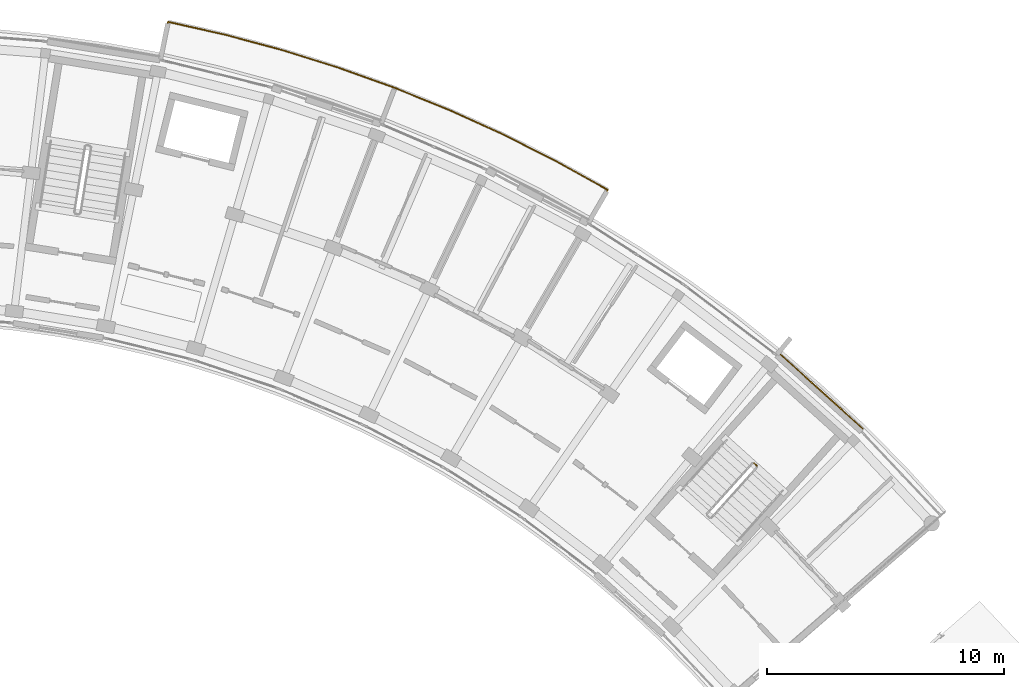
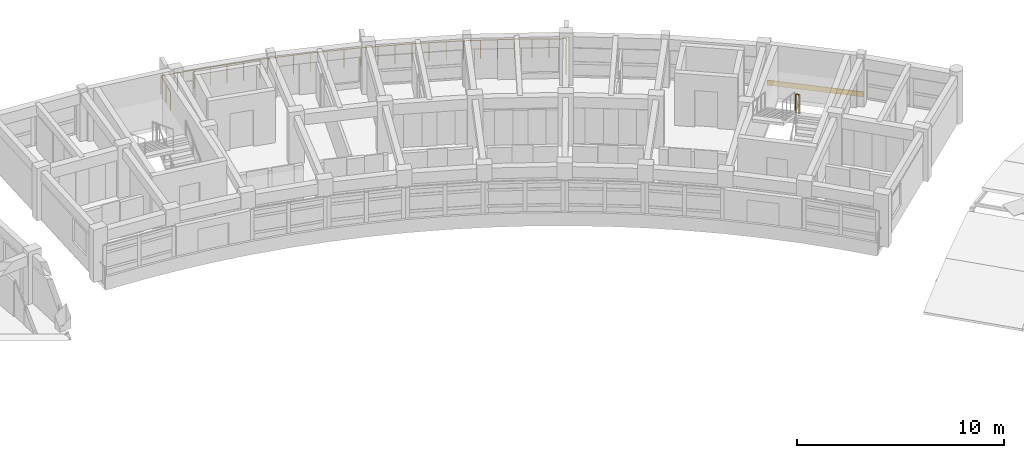
# One storey, part 40 of 40: 2 railings, 1 covering.
"""IFC4 building model written with IfcOpenShell, lengths in metres."""

from ifc_helpers import new_model, si_unit, direction, frame, origin, origin_2d, place, context, subcontext, project, spatial, rectangle, circle, extrude, material, layer, layer_set, type_object, element, save


model = new_model("IFC4")

# Units and contexts
model_context = context("Model", 3, precision=1e-05, world=origin(), true_north=direction((0.0, 1.0)))
body_context = subcontext(model_context, "Body", "Model", "MODEL_VIEW")
ifc_project = project(units=[si_unit("LENGTHUNIT", "METRE"), si_unit("AREAUNIT", "SQUARE_METRE"), si_unit("VOLUMEUNIT", "CUBIC_METRE"), si_unit("PLANEANGLEUNIT", "RADIAN"), si_unit("MASSUNIT", "GRAM", prefix="KILO")], contexts=[model_context])

# Site, building, storey
site_placement = place(None, origin())
site = spatial("IfcSite", under=ifc_project, at=site_placement, CompositionType="ELEMENT")
building_placement = place(site_placement, origin())
building = spatial("IfcBuilding", under=site, at=building_placement, Name="Zimvara Arc Housing Community", CompositionType="ELEMENT")
storey_placement = place(building_placement, frame((0.0, 0.0, 32.89990234375)))
storey = spatial("IfcBuildingStorey", under=building, at=storey_placement, Name="L10", CompositionType="ELEMENT", Elevation=32.89990234375)

# Covering
ifc_material_1 = material(Name="Pale-Gold Anodised Aluminium Cladding", Category="aluminium")
ifc_layer = layer(ifc_material_1, 0.0400390625)
ifc_layer_set = layer_set([ifc_layer], Name="Pale-Gold Anodised Aluminium Cladding")
covering_type = type_object("IfcCoveringType", Name="CLD-GOLD-01", PredefinedType="CLADDING", material=ifc_layer_set)
covering_placement = place(storey_placement, frame((84.7734375, 88.703857421875, 0.01025390625), z_axis=(0.0, 0.0, 1.0), x_axis=(0.74337718344, -0.668872456557, 0.0)))
element("IfcCovering", 1, at=covering_placement, inside=storey, type_object=covering_type, Name="cld:blkB:L10:out:b8", PredefinedType="CLADDING", context=body_context, shape_type="SweptSolid", body=[
    extrude(rectangle(XDim=4.748779296875, YDim=0.0400390625, at=origin_2d()), origin(), (0.0, 0.0, 1.0), 0.300048828125),
])

# Railings
ifc_material_2 = material(Name="Anodised Aluminium AW-6063", Category="aluminium")
railing_type = type_object("IfcRailingType", Name="RLG-BAL-1120", PredefinedType="BALUSTRADE", material=ifc_material_2)
railing_1_placement = place(storey_placement, frame((56.933349609375, 102.842041015625, 0.0)))
element("IfcRailing", 2, at=railing_1_placement, inside=storey, type_object=railing_type, Name="rlg:blkB:L10:bal_out_guard", PredefinedType="BALUSTRADE", context=body_context, shape_type="SweptSolid", body=[
    extrude(circle(Radius=0.02392578125, at=origin_2d()), frame((0.0, 0.0, 1.09619140625), z_axis=(0.200457825929, 0.979702332356, 0.0), x_axis=(-0.979702332356, 0.200457825929, 0.0)), (0.0, 0.0, 1.0), 1.469970703125),
    extrude(circle(Radius=0.02392578125, at=origin_2d()), frame((0.294677734375, 1.440185546875, 1.09619140625), z_axis=(0.975422665062, -0.220342062447, 0.0), x_axis=(0.220342062447, 0.975422665062, 0.0)), (0.0, 0.0, 1.0), 2.491943359375),
    extrude(circle(Radius=0.02392578125, at=origin_2d()), frame((2.725341796875, 0.89111328125, 1.09619140625), z_axis=(0.965604406451, -0.260015634611, 0.0), x_axis=(0.260015634611, 0.965604406451, 0.0)), (0.0, 0.0, 1.0), 2.491943359375),
    extrude(circle(Radius=0.02392578125, at=origin_2d()), frame((5.131591796875, 0.2431640625, 1.09619140625), z_axis=(0.95418488811, -0.299217645373, 0.0), x_axis=(0.299217645373, 0.95418488811, 0.0)), (0.0, 0.0, 1.0), 2.491943359375),
    extrude(circle(Radius=0.02392578125, at=origin_2d()), frame((7.50927734375, -0.50244140625, 1.09619140625), z_axis=(0.94118428576, -0.337893681856, 0.0), x_axis=(0.337893681856, 0.94118428576, 0.0)), (0.0, 0.0, 1.0), 2.491943359375),
    extrude(circle(Radius=0.02392578125, at=origin_2d()), frame((9.854736328125, -1.344482421875, 1.09619140625), z_axis=(0.926613832847, -0.37601436778, 0.0), x_axis=(0.37601436778, 0.926613832847, 0.0)), (0.0, 0.0, 1.0), 2.491943359375),
    extrude(circle(Radius=0.02392578125, at=origin_2d()), frame((12.163818359375, -2.281494140625, 1.09619140625), z_axis=(0.910443630497, -0.413633165604, 0.0), x_axis=(0.413633165604, 0.910443630497, 0.0)), (0.0, 0.0, 1.0), 2.491943359375),
    extrude(circle(Radius=0.02392578125, at=origin_2d()), frame((14.4326171875, -3.312255859375, 1.09619140625), z_axis=(0.892834384016, -0.450385127107, 0.0), x_axis=(0.450385127107, 0.892834384016, 0.0)), (0.0, 0.0, 1.0), 2.491943359375),
    extrude(circle(Radius=0.02392578125, at=origin_2d()), frame((16.657470703125, -4.4345703125, 1.09619140625), z_axis=(0.873653060707, -0.486549411178, 0.0), x_axis=(0.486549411178, 0.873653060707, 0.0)), (0.0, 0.0, 1.0), 2.491943359375),
    extrude(circle(Radius=0.02392578125, at=origin_2d()), frame((18.83447265625, -5.64697265625, 1.09619140625), z_axis=(-0.50427373705, -0.863543859987, 0.0), x_axis=(0.863543859987, -0.50427373705, 0.0)), (0.0, 0.0, 1.0), 1.469970703125),
    extrude(circle(Radius=0.02099609375, at=origin_2d()), origin(), (0.0, 0.0, 1.0), 1.072021484375),
    extrude(circle(Radius=0.02099609375, at=origin_2d()), frame((0.1474609375, 0.72021484375, 0.0)), (0.0, 0.0, 1.0), 1.072021484375),
    extrude(circle(Radius=0.02099609375, at=origin_2d()), frame((0.294677734375, 1.440185546875, 0.0)), (0.0, 0.0, 1.0), 1.072021484375),
    extrude(circle(Radius=0.02099609375, at=origin_2d()), frame((1.10498046875, 1.257080078125, 0.0)), (0.0, 0.0, 1.0), 1.072021484375),
    extrude(circle(Radius=0.02099609375, at=origin_2d()), frame((1.9150390625, 1.07421875, 0.0)), (0.0, 0.0, 1.0), 1.072021484375),
    extrude(circle(Radius=0.02099609375, at=origin_2d()), frame((2.725341796875, 0.89111328125, 0.0)), (0.0, 0.0, 1.0), 1.072021484375),
    extrude(circle(Radius=0.02099609375, at=origin_2d()), frame((3.52734375, 0.675048828125, 0.0)), (0.0, 0.0, 1.0), 1.072021484375),
    extrude(circle(Radius=0.02099609375, at=origin_2d()), frame((4.32958984375, 0.459228515625, 0.0)), (0.0, 0.0, 1.0), 1.072021484375),
    extrude(circle(Radius=0.02099609375, at=origin_2d()), frame((5.131591796875, 0.2431640625, 0.0)), (0.0, 0.0, 1.0), 1.072021484375),
    extrude(circle(Radius=0.02099609375, at=origin_2d()), frame((5.924072265625, -0.00537109375, 0.0)), (0.0, 0.0, 1.0), 1.072021484375),
    extrude(circle(Radius=0.02099609375, at=origin_2d()), frame((6.716796875, -0.25390625, 0.0)), (0.0, 0.0, 1.0), 1.072021484375),
    extrude(circle(Radius=0.02099609375, at=origin_2d()), frame((7.50927734375, -0.50244140625, 0.0)), (0.0, 0.0, 1.0), 1.072021484375),
    extrude(circle(Radius=0.02099609375, at=origin_2d()), frame((8.291015625, -0.783203125, 0.0)), (0.0, 0.0, 1.0), 1.072021484375),
    extrude(circle(Radius=0.02099609375, at=origin_2d()), frame((9.072998046875, -1.063720703125, 0.0)), (0.0, 0.0, 1.0), 1.072021484375),
    extrude(circle(Radius=0.02099609375, at=origin_2d()), frame((9.854736328125, -1.344482421875, 0.0)), (0.0, 0.0, 1.0), 1.072021484375),
    extrude(circle(Radius=0.02099609375, at=origin_2d()), frame((10.62451171875, -1.65673828125, 0.0)), (0.0, 0.0, 1.0), 1.072021484375),
    extrude(circle(Radius=0.02099609375, at=origin_2d()), frame((11.39404296875, -1.96923828125, 0.0)), (0.0, 0.0, 1.0), 1.072021484375),
    extrude(circle(Radius=0.02099609375, at=origin_2d()), frame((12.163818359375, -2.281494140625, 0.0)), (0.0, 0.0, 1.0), 1.072021484375),
    extrude(circle(Radius=0.02099609375, at=origin_2d()), frame((12.920166015625, -2.625, 0.0)), (0.0, 0.0, 1.0), 1.072021484375),
    extrude(circle(Radius=0.02099609375, at=origin_2d()), frame((13.67626953125, -2.96875, 0.0)), (0.0, 0.0, 1.0), 1.072021484375),
    extrude(circle(Radius=0.02099609375, at=origin_2d()), frame((14.4326171875, -3.312255859375, 0.0)), (0.0, 0.0, 1.0), 1.072021484375),
    extrude(circle(Radius=0.02099609375, at=origin_2d()), frame((15.17431640625, -3.686279296875, 0.0)), (0.0, 0.0, 1.0), 1.072021484375),
    extrude(circle(Radius=0.02099609375, at=origin_2d()), frame((15.915771484375, -4.060546875, 0.0)), (0.0, 0.0, 1.0), 1.072021484375),
    extrude(circle(Radius=0.02099609375, at=origin_2d()), frame((16.657470703125, -4.4345703125, 0.0)), (0.0, 0.0, 1.0), 1.072021484375),
    extrude(circle(Radius=0.02099609375, at=origin_2d()), frame((17.383056640625, -4.838623046875, 0.0)), (0.0, 0.0, 1.0), 1.072021484375),
    extrude(circle(Radius=0.02099609375, at=origin_2d()), frame((18.10888671875, -5.242919921875, 0.0)), (0.0, 0.0, 1.0), 1.072021484375),
    extrude(circle(Radius=0.02099609375, at=origin_2d()), frame((18.83447265625, -5.64697265625, 0.0)), (0.0, 0.0, 1.0), 1.072021484375),
    extrude(circle(Radius=0.02099609375, at=origin_2d()), frame((18.4638671875, -6.28173828125, 0.0)), (0.0, 0.0, 1.0), 1.072021484375),
    extrude(circle(Radius=0.02099609375, at=origin_2d()), frame((18.09326171875, -6.916259765625, 0.0)), (0.0, 0.0, 1.0), 1.072021484375),
])
railing_2_placement = place(storey_placement, frame((82.05615234375, 85.564208984375, 1.550048828125)))
element("IfcRailing", 3, at=railing_2_placement, inside=storey, type_object=railing_type, Name="L10 ST-B2 stair guard 2", PredefinedType="BALUSTRADE", context=body_context, shape_type="SweptSolid", body=[
    extrude(circle(Radius=0.02392578125, at=origin_2d()), frame((0.0, 0.0, 1.09619140625), z_axis=(-0.744203407529, 0.667953058397, 0.0), x_axis=(-0.667953058397, -0.744203407529, 0.0)), (0.0, 0.0, 1.0), 0.16015625),
    extrude(circle(Radius=0.02099609375, at=origin_2d()), origin(), (0.0, 0.0, 1.0), 1.072021484375),
    extrude(circle(Radius=0.02099609375, at=origin_2d()), frame((-0.119140625, 0.10693359375, 0.0)), (0.0, 0.0, 1.0), 1.072021484375),
])

save(model, "model.ifc")
